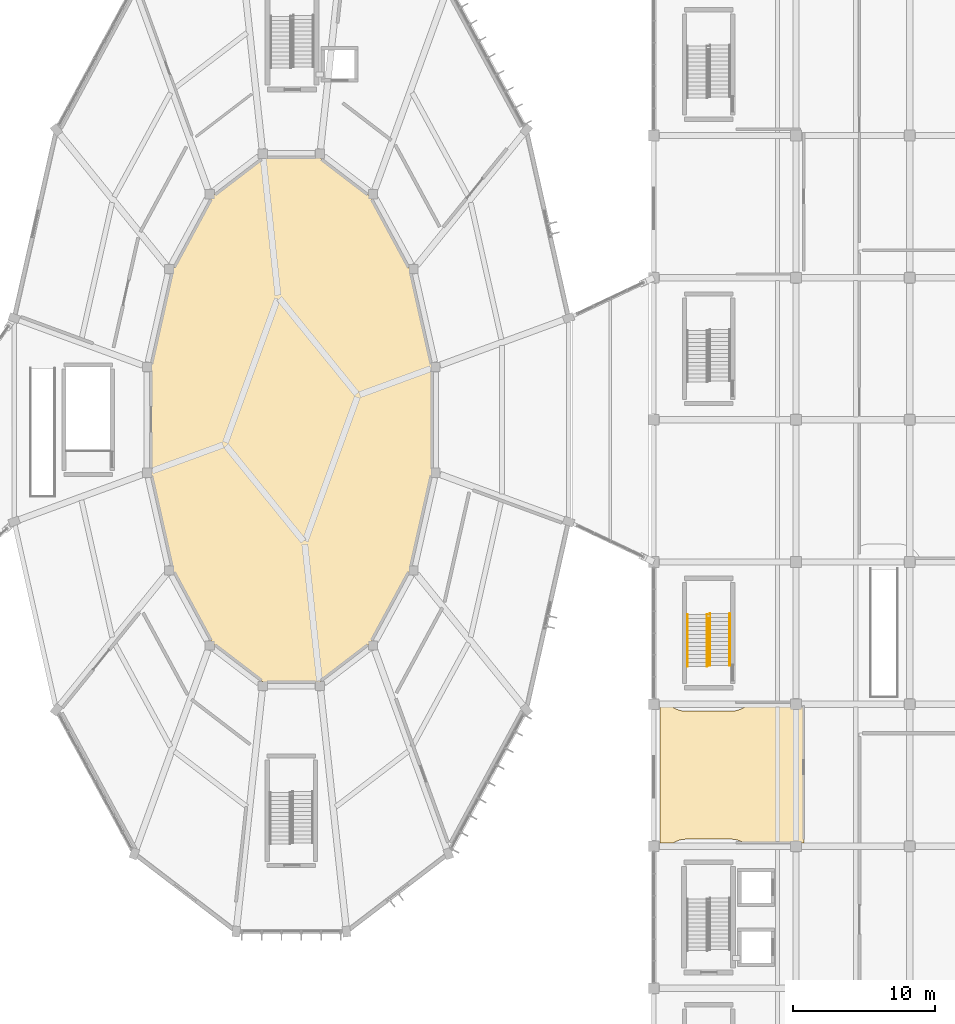
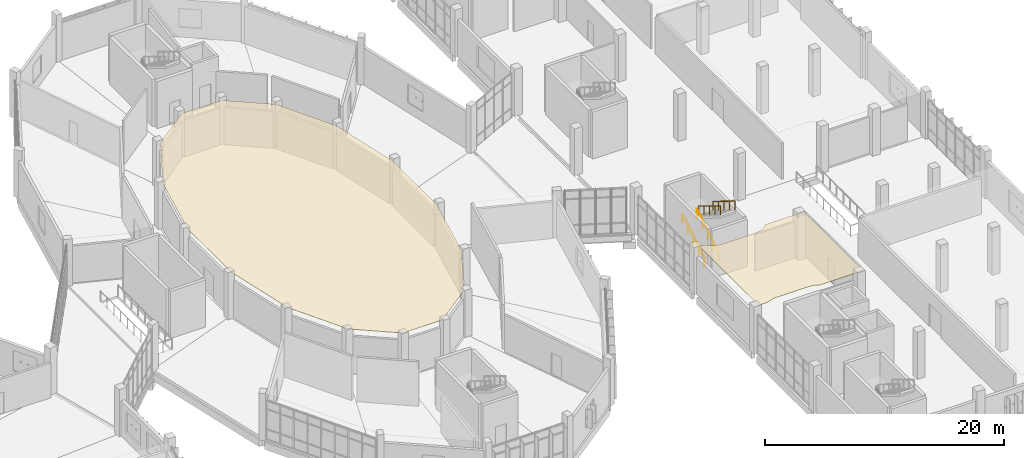
# One storey, part 168 of 179: 4 railings, 2 coverings.
"""IFC4 building model written with IfcOpenShell, lengths in metres."""

import ifcopenshell
import ifcopenshell.guid

model = None  # the IFC model being written
_history = None  # IfcOwnerHistory: only IFC2X3 demands one
_inside = {}  # id of a spatial element -> (the spatial element, [elements in it])
_under = {}  # id of a project, library or spatial element -> (it, [spatial elements below it])
_declared = {}  # id of a project -> (the project, [libraries it declares])
_typed = {}  # id of a type object -> (the type object, [elements of that type])
_made_of = {}  # id of a material, layer set ... -> (it, [elements and type objects made of it])


def new_model(schema):
    """Start an empty IFC model of exactly this schema.

    Asked for "IFC4X3", IfcOpenShell would pick the latest addendum, in which some entities
    have other attributes; the version numbers below select the first issue.
    IFC2X3 requires an IfcOwnerHistory on every rooted entity: one is made here for all.
    """
    global model, _history
    if schema == "IFC4X3":
        model = ifcopenshell.file(schema_version=(4, 3, 0, 0))
    else:
        model = ifcopenshell.file(schema=schema)
    _inside.clear()
    _under.clear()
    _declared.clear()
    _typed.clear()
    _made_of.clear()
    _history = None
    if model.schema == "IFC2X3":
        org = make("IfcOrganization", Name="unknown")
        user = make(
            "IfcPersonAndOrganization",
            ThePerson=make("IfcPerson", FamilyName="unknown"),
            TheOrganization=org,
        )
        app = make(
            "IfcApplication",
            ApplicationDeveloper=org,
            Version="unknown",
            ApplicationFullName="unknown",
            ApplicationIdentifier="unknown",
        )
        _history = make(
            "IfcOwnerHistory",
            OwningUser=user,
            OwningApplication=app,
            ChangeAction="ADDED",
            CreationDate=0,
        )
    return model


def make(cls, **values):
    """One entity of the class cls with the attributes given. An attribute that is None is left unset."""
    return model.create_entity(
        cls, **{name: value for name, value in values.items() if value is not None}
    )


def rooted(cls, **values):
    """An entity with a GlobalId (a new one), such as an element, a storey or a relation."""
    return make(cls, GlobalId=ifcopenshell.guid.new(), OwnerHistory=_history, **values)


def si_unit(unit_type, name, prefix=None):
    """IfcSIUnit, for example si_unit("LENGTHUNIT", "METRE", prefix="MILLI")."""
    return make("IfcSIUnit", UnitType=unit_type, Prefix=prefix, Name=name)


def assignment(units):
    """IfcUnitAssignment: the units of a project."""
    return None if units is None else make("IfcUnitAssignment", Units=units)


def point(xyz):
    """IfcCartesianPoint."""
    return None if xyz is None else make("IfcCartesianPoint", Coordinates=xyz)


def direction(xyz):
    """IfcDirection."""
    return None if xyz is None else make("IfcDirection", DirectionRatios=xyz)


def frame(location, z_axis=None, x_axis=None):
    """IfcAxis2Placement3D, a coordinate frame: its origin and axes. An axis left out is left unset."""
    return make(
        "IfcAxis2Placement3D",
        Location=point(location),
        Axis=direction(z_axis),
        RefDirection=direction(x_axis),
    )


def frame_2d(location, x_axis=None):
    """IfcAxis2Placement2D, a coordinate frame in the plane: its origin and x axis."""
    return make(
        "IfcAxis2Placement2D", Location=point(location), RefDirection=direction(x_axis)
    )


def origin():
    """The frame at (0, 0, 0) with its axes left unset."""
    return frame((0.0, 0.0, 0.0))


def origin_2d():
    """The frame at (0, 0) in the plane with its x axis left unset."""
    return frame_2d((0.0, 0.0))


def place(relative_to, where):
    """IfcLocalPlacement: puts the frame where relative to a parent placement (None: the world)."""
    return make(
        "IfcLocalPlacement", PlacementRelTo=relative_to, RelativePlacement=where
    )


def context(
    kind, dimensions, precision=None, world=None, true_north=None, identifier=None
):
    """IfcGeometricRepresentationContext, for example the 3D "Model" context."""
    return make(
        "IfcGeometricRepresentationContext",
        ContextIdentifier=identifier,
        ContextType=kind,
        CoordinateSpaceDimension=dimensions,
        Precision=precision,
        WorldCoordinateSystem=world,
        TrueNorth=true_north,
    )


def subcontext(parent, identifier, kind, view, scale=None):
    """IfcGeometricRepresentationSubContext, for example "Body" below "Model"."""
    return make(
        "IfcGeometricRepresentationSubContext",
        ContextIdentifier=identifier,
        ContextType=kind,
        ParentContext=parent,
        TargetScale=scale,
        TargetView=view,
    )


def project(units=None, contexts=None):
    """IfcProject with its units and contexts."""
    return rooted(
        "IfcProject",
        Name="project",
        RepresentationContexts=contexts,
        UnitsInContext=assignment(units),
    )


def spatial(cls, under=None, at=None, **own):
    """A site, building, storey or space (cls), placed at a placement, below another one or the project."""
    s = rooted(cls, ObjectPlacement=at, **own)
    if under is not None:
        _under.setdefault(under.id(), (under, []))[1].append(s)
    return s


def polyline(points):
    """IfcPolyline through the points."""
    return make("IfcPolyline", Points=[point(p) for p in points])


def profile(cls, at=None, kind="AREA", **sizes):
    """A parametric profile (cls). Its sizes go by their IFC names, for example OverallWidth=200.0."""
    return make(cls, ProfileType=kind, Position=at, **sizes)


def circle(**sizes):
    """IfcCircleProfileDef."""
    return profile("IfcCircleProfileDef", **sizes)


def outline(outer, holes=None, kind="AREA"):
    """IfcArbitraryClosedProfileDef: a profile drawn as a closed curve; with holes, ...WithVoids."""
    if holes is None:
        return make("IfcArbitraryClosedProfileDef", ProfileType=kind, OuterCurve=outer)
    return make(
        "IfcArbitraryProfileDefWithVoids",
        ProfileType=kind,
        OuterCurve=outer,
        InnerCurves=holes,
    )


def extrude(swept, where, along, depth):
    """IfcExtrudedAreaSolid: the profile swept, set in the frame where, extruded along a direction by depth."""
    return make(
        "IfcExtrudedAreaSolid",
        SweptArea=swept,
        Position=where,
        ExtrudedDirection=direction(along),
        Depth=depth,
    )


def shape(context_of_items, identifier, shape_type, items):
    """IfcShapeRepresentation: the items that make up one representation, for example the "Body"."""
    return make(
        "IfcShapeRepresentation",
        ContextOfItems=context_of_items,
        RepresentationIdentifier=identifier,
        RepresentationType=shape_type,
        Items=items,
    )


def material(Name=None, Category=None):
    """IfcMaterial."""
    return make("IfcMaterial", Name=Name, Category=Category)


def layer(
    of_material, thickness, ventilated=None, Name=None, Category=None, Priority=None
):
    """IfcMaterialLayer: one layer of a wall or slab, of a material (None: an air gap)."""
    return make(
        "IfcMaterialLayer",
        Material=of_material,
        LayerThickness=thickness,
        IsVentilated=ventilated,
        Name=Name,
        Category=Category,
        Priority=Priority,
    )


def layer_set(layers, Name=None):
    """IfcMaterialLayerSet."""
    return make("IfcMaterialLayerSet", MaterialLayers=layers, LayerSetName=Name)


def made_of(thing, what):
    """Note that an element or type object is made of a material, layer set ...; save() writes the relation."""
    if what is not None:
        _made_of.setdefault(what.id(), (what, []))[1].append(thing)
    return thing


def type_object(cls, material=None, **own):
    """A type object (cls), such as IfcWallType, which elements share."""
    return made_of(rooted(cls, **own), material)


def element(
    cls,
    number,
    at=None,
    inside=None,
    cuts=None,
    type_object=None,
    material=None,
    context=None,
    identifier="Body",
    shape_type=None,
    held_by="IfcProductDefinitionShape",
    body=None,
    shapes=None,
    **own,
):
    """One element of the class cls, such as IfcWall. Its Tag is "e" and its number.

    at: its placement. inside: the storey or other place that contains it. cuts: it is an
    opening in that element (IfcRelVoidsElement). A single representation is given by context,
    identifier, shape_type and body (its items); several are given by shapes. held_by: the class
    of the entity that holds the representations. save() writes the other relations.
    """
    e = rooted(cls, Tag="e%d" % number, ObjectPlacement=at, **own)
    if body is not None:
        shapes = [shape(context, identifier, shape_type, body)]
    if shapes is not None:
        e.Representation = make(held_by, Representations=shapes)
    if inside is not None:
        _inside.setdefault(inside.id(), (inside, []))[1].append(e)
    if cuts is not None:
        rooted(
            "IfcRelVoidsElement", RelatingBuildingElement=cuts, RelatedOpeningElement=e
        )
    if type_object is not None:
        _typed.setdefault(type_object.id(), (type_object, []))[1].append(e)
    return made_of(e, material)


def aggregate(whole, parts):
    """IfcRelAggregates: a whole, such as a stair, and the parts it consists of."""
    return rooted("IfcRelAggregates", RelatingObject=whole, RelatedObjects=parts)


def save(model, path):
    """Write the relations noted so far, then the file.

    IfcRelAggregates (storeys below a building ...), IfcRelContainedInSpatialStructure (elements
    in a storey), IfcRelDefinesByType, IfcRelAssociatesMaterial and IfcRelDeclares: one each for
    every whole, place, type object, material and project.
    """
    for whole, parts in _under.values():
        aggregate(whole, parts)
    for where, things in _inside.values():
        rooted(
            "IfcRelContainedInSpatialStructure",
            RelatedElements=things,
            RelatingStructure=where,
        )
    for kind, things in _typed.values():
        rooted("IfcRelDefinesByType", RelatedObjects=things, RelatingType=kind)
    for what, things in _made_of.values():
        rooted("IfcRelAssociatesMaterial", RelatedObjects=things, RelatingMaterial=what)
    for by, libraries in _declared.values():
        rooted("IfcRelDeclares", RelatingContext=by, RelatedDefinitions=libraries)
    model.write(path)


model = new_model("IFC4")

# Units and contexts
model_context = context("Model", 3, precision=1e-05, world=origin(), true_north=direction((0.0, 1.0)))
body_context = subcontext(model_context, "Body", "Model", "MODEL_VIEW")
ifc_project = project(units=[si_unit("LENGTHUNIT", "METRE"), si_unit("AREAUNIT", "SQUARE_METRE"), si_unit("VOLUMEUNIT", "CUBIC_METRE"), si_unit("PLANEANGLEUNIT", "RADIAN"), si_unit("MASSUNIT", "GRAM", prefix="KILO")], contexts=[model_context])

# Site, building, storey
site_placement = place(None, origin())
site = spatial("IfcSite", under=ifc_project, at=site_placement, CompositionType="ELEMENT")
building_placement = place(site_placement, origin())
building = spatial("IfcBuilding", under=site, at=building_placement, Name="Corvandel Quay Wholesale Market", CompositionType="ELEMENT")
storey_placement = place(building_placement, frame((0.0, 0.0, 6.0)))
storey = spatial("IfcBuildingStorey", under=building, at=storey_placement, Name="L01", CompositionType="ELEMENT", Elevation=6.0)

# Covering
ifc_material_1 = material(Name="Perforated powder-coated aluminium acoustic panel", Category="aluminium")
ifc_layer_1 = layer(ifc_material_1, 0.044921875)
ifc_layer_set_1 = layer_set([ifc_layer_1], Name="Perforated powder-coated aluminium acoustic panel")
covering_type_1 = type_object("IfcCoveringType", Name="Perforated Acoustic Baffle Ceiling CLG01", PredefinedType="CEILING", material=ifc_layer_set_1)
covering_1_placement = place(storey_placement, frame((0.0, 0.0, 4.389892578125)))
element("IfcCovering", 1, at=covering_1_placement, inside=storey, type_object=covering_type_1, Name="Suspended Ceiling CLG-016", PredefinedType="CEILING", context=body_context, shape_type="SweptSolid", body=[
    extrude(outline(polyline([(204.39990234375, 56.302978515625), (204.39990234375, 56.301025390625), (202.8701171875, 49.48388671875), (202.868896484375, 49.48193359375), (202.867919921875, 49.47998046875), (202.867919921875, 49.47802734375), (200.06005859375, 44.29296875), (200.05810546875, 44.2919921875), (200.056884765625, 44.2900390625), (200.055908203125, 44.2880859375), (200.053955078125, 44.287109375), (196.44091796875, 41.52392578125), (196.43994140625, 41.52294921875), (196.43798828125, 41.52197265625), (196.43603515625, 41.52099609375), (196.43505859375, 41.52099609375), (196.43310546875, 41.52001953125), (196.430908203125, 41.52001953125), (196.428955078125, 41.52001953125), (192.571044921875, 41.52001953125), (192.569091796875, 41.52001953125), (192.56689453125, 41.52001953125), (192.56494140625, 41.52099609375), (192.56396484375, 41.52099609375), (192.56201171875, 41.52197265625), (192.56005859375, 41.52294921875), (192.55908203125, 41.52392578125), (188.946044921875, 44.287109375), (188.944091796875, 44.2880859375), (188.943115234375, 44.2900390625), (188.94189453125, 44.2919921875), (188.93994140625, 44.29296875), (186.132080078125, 49.47802734375), (186.132080078125, 49.47998046875), (186.131103515625, 49.48193359375), (186.1298828125, 49.48388671875), (184.60009765625, 56.301025390625), (184.60009765625, 56.302978515625), (184.60009765625, 56.304931640625), (184.60009765625, 63.695068359375), (184.60009765625, 63.697021484375), (184.60009765625, 63.698974609375), (186.1298828125, 70.51611328125), (186.131103515625, 70.51806640625), (186.132080078125, 70.52001953125), (186.132080078125, 70.52197265625), (188.93994140625, 75.70703125), (188.94189453125, 75.7080078125), (188.943115234375, 75.7099609375), (188.944091796875, 75.7119140625), (188.946044921875, 75.712890625), (192.55908203125, 78.47607421875), (192.56005859375, 78.47705078125), (192.56201171875, 78.47802734375), (192.56396484375, 78.47900390625), (192.56494140625, 78.47900390625), (192.56689453125, 78.47998046875), (192.569091796875, 78.47998046875), (192.571044921875, 78.47998046875), (196.428955078125, 78.47998046875), (196.430908203125, 78.47998046875), (196.43310546875, 78.47998046875), (196.43505859375, 78.47900390625), (196.43603515625, 78.47900390625), (196.43798828125, 78.47802734375), (196.43994140625, 78.47705078125), (196.44091796875, 78.47607421875), (200.053955078125, 75.712890625), (200.055908203125, 75.7119140625), (200.056884765625, 75.7099609375), (200.05810546875, 75.7080078125), (200.06005859375, 75.70703125), (202.867919921875, 70.52197265625), (202.867919921875, 70.52001953125), (202.868896484375, 70.51806640625), (202.8701171875, 70.51611328125), (204.39990234375, 63.698974609375), (204.39990234375, 63.697021484375), (204.39990234375, 63.695068359375), (204.39990234375, 56.304931640625), (204.39990234375, 56.302978515625)])), origin(), (0.0, 0.0, 1.0), 0.045166015625),
])

# Railings
ifc_material_2 = material(Name="Brushed austenitic stainless steel Grade 316", Category="steel")
ifc_layer_2 = layer(ifc_material_2, 0.048095703125)
ifc_layer_set_2 = layer_set([ifc_layer_2], Name="Brushed austenitic stainless steel Grade 316")
railing_type = type_object("IfcRailingType", Name="Tubular Stainless Stair Handrail HR01 915mm", PredefinedType="HANDRAIL", material=ifc_layer_set_2)
for number, where, name in (
    (2, (222.360107421875, 42.64990234375, 0.17138671875), "Stair Handrail 0163"),
    (3, (223.75, 42.64990234375, 0.17138671875), "Stair Handrail 0164"),
):
    element("IfcRailing", number, at=place(storey_placement, frame(where)), inside=storey, type_object=railing_type, Name=name, PredefinedType="HANDRAIL", context=body_context, shape_type="SweptSolid", body=[
        extrude(circle(Radius=0.02392578125, at=origin_2d()), frame((0.0, 0.0, 0.89111328125), z_axis=(0.0, 0.852865859571, 0.52213008492), x_axis=(-1.0, 0.0, 0.0)), (0.0, 0.0, 1.0), 4.26806640625),
        extrude(circle(Radius=0.02099609375, at=origin_2d()), origin(), (0.0, 0.0, 1.0), 0.866943359375),
        extrude(circle(Radius=0.02099609375, at=origin_2d()), frame((0.0, 0.91015625, 0.55712890625)), (0.0, 0.0, 1.0), 0.866943359375),
        extrude(circle(Radius=0.02099609375, at=origin_2d()), frame((0.0, 1.820068359375, 1.1142578125)), (0.0, 0.0, 1.0), 0.866943359375),
        extrude(circle(Radius=0.02099609375, at=origin_2d()), frame((0.0, 2.72998046875, 1.67138671875)), (0.0, 0.0, 1.0), 0.866943359375),
        extrude(circle(Radius=0.02099609375, at=origin_2d()), frame((0.0, 3.64013671875, 2.228515625)), (0.0, 0.0, 1.0), 0.866943359375),
    ])
for number, where, name in (
    (4, (223.949951171875, 46.360107421875, 2.5712890625), "Stair Handrail 0165"),
    (5, (225.340087890625, 46.360107421875, 2.5712890625), "Stair Handrail 0166"),
):
    element("IfcRailing", number, at=place(storey_placement, frame(where)), inside=storey, type_object=railing_type, Name=name, PredefinedType="HANDRAIL", context=body_context, shape_type="SweptSolid", body=[
        extrude(circle(Radius=0.02392578125, at=origin_2d()), frame((0.0, 0.0, 0.89111328125), z_axis=(0.0, -0.852840387347, 0.522171689878), x_axis=(1.0, 0.0, 0.0)), (0.0, 0.0, 1.0), 4.268310546875),
        extrude(circle(Radius=0.02099609375, at=origin_2d()), origin(), (0.0, 0.0, 1.0), 0.866943359375),
        extrude(circle(Radius=0.02099609375, at=origin_2d()), frame((0.0, -0.91015625, 0.55712890625)), (0.0, 0.0, 1.0), 0.866943359375),
        extrude(circle(Radius=0.02099609375, at=origin_2d()), frame((0.0, -1.820068359375, 1.1142578125)), (0.0, 0.0, 1.0), 0.866943359375),
        extrude(circle(Radius=0.02099609375, at=origin_2d()), frame((0.0, -2.72998046875, 1.671630859375)), (0.0, 0.0, 1.0), 0.866943359375),
        extrude(circle(Radius=0.02099609375, at=origin_2d()), frame((0.0, -3.64013671875, 2.228759765625)), (0.0, 0.0, 1.0), 0.866943359375),
    ])

# Covering
ifc_material_3 = material(Name="Moisture-resistant washable PVC-faced gypsum board")
ifc_layer_3 = layer(ifc_material_3, 0.0400390625)
ifc_layer_set_3 = layer_set([ifc_layer_3], Name="Moisture-resistant washable PVC-faced gypsum board")
covering_type_2 = type_object("IfcCoveringType", Name="Washable Hygienic Market Ceiling CLG02", PredefinedType="CEILING", material=ifc_layer_set_3)
covering_2_placement = place(storey_placement, frame((0.0, 0.0, 4.31005859375)))
element("IfcCovering", 6, at=covering_2_placement, inside=storey, type_object=covering_type_2, Name="Suspended Ceiling CLG-029", PredefinedType="CEILING", context=body_context, shape_type="SweptSolid", body=[
    extrude(outline(polyline([(220.4580078125, 30.239990234375), (220.4560546875, 30.239990234375), (220.4541015625, 30.240966796875), (220.451904296875, 30.241943359375), (220.450927734375, 30.241943359375), (220.448974609375, 30.242919921875), (220.447021484375, 30.2451171875), (220.446044921875, 30.24609375), (220.445068359375, 30.2470703125), (220.443115234375, 30.2490234375), (220.44189453125, 30.2509765625), (220.44189453125, 30.251953125), (220.44091796875, 30.25390625), (220.43994140625, 30.256103515625), (220.43994140625, 30.258056640625), (220.43994140625, 30.260009765625), (220.43994140625, 40.139892578125), (220.43994140625, 40.14208984375), (220.43994140625, 40.14404296875), (220.44091796875, 40.14599609375), (220.44189453125, 40.14794921875), (220.44189453125, 40.14892578125), (220.443115234375, 40.15087890625), (220.445068359375, 40.153076171875), (220.446044921875, 40.154052734375), (220.447021484375, 40.155029296875), (220.448974609375, 40.156982421875), (220.450927734375, 40.157958984375), (220.451904296875, 40.157958984375), (220.4541015625, 40.158935546875), (220.4560546875, 40.159912109375), (220.4580078125, 40.159912109375), (220.4599609375, 40.159912109375), (220.906982421875, 40.159912109375), (220.908935546875, 40.157958984375), (221.027099609375, 40.027099609375), (221.157958984375, 39.908935546875), (221.300048828125, 39.802978515625), (221.450927734375, 39.712890625), (221.611083984375, 39.636962890625), (221.777099609375, 39.577880859375), (221.948974609375, 39.534912109375), (222.1240234375, 39.509033203125), (222.300048828125, 39.5), (225.39990234375, 39.5), (225.575927734375, 39.509033203125), (225.7509765625, 39.534912109375), (225.923095703125, 39.577880859375), (226.089111328125, 39.636962890625), (226.2490234375, 39.712890625), (226.39990234375, 39.802978515625), (226.5419921875, 39.908935546875), (226.673095703125, 40.027099609375), (226.791015625, 40.157958984375), (226.79296875, 40.159912109375), (230.5400390625, 40.159912109375), (230.5419921875, 40.159912109375), (230.5439453125, 40.159912109375), (230.5458984375, 40.158935546875), (230.548095703125, 40.157958984375), (230.549072265625, 40.157958984375), (230.551025390625, 40.156982421875), (230.552978515625, 40.155029296875), (230.553955078125, 40.154052734375), (230.554931640625, 40.153076171875), (230.556884765625, 40.15087890625), (230.55810546875, 40.14892578125), (230.55810546875, 40.14794921875), (230.55908203125, 40.14599609375), (230.56005859375, 40.14404296875), (230.56005859375, 40.14208984375), (230.56005859375, 40.139892578125), (230.56005859375, 30.260009765625), (230.56005859375, 30.258056640625), (230.56005859375, 30.256103515625), (230.55908203125, 30.25390625), (230.55810546875, 30.251953125), (230.55810546875, 30.2509765625), (230.556884765625, 30.2490234375), (230.554931640625, 30.2470703125), (230.553955078125, 30.24609375), (230.552978515625, 30.2451171875), (230.551025390625, 30.242919921875), (230.549072265625, 30.241943359375), (230.548095703125, 30.241943359375), (230.5458984375, 30.240966796875), (230.5439453125, 30.239990234375), (230.5419921875, 30.239990234375), (230.5400390625, 30.239990234375), (226.327880859375, 30.239990234375), (226.2490234375, 30.287109375), (226.089111328125, 30.363037109375), (225.923095703125, 30.422119140625), (225.7509765625, 30.465087890625), (225.575927734375, 30.490966796875), (225.39990234375, 30.5), (222.300048828125, 30.5), (222.1240234375, 30.490966796875), (221.948974609375, 30.465087890625), (221.777099609375, 30.422119140625), (221.611083984375, 30.363037109375), (221.450927734375, 30.287109375), (221.3720703125, 30.239990234375), (220.4599609375, 30.239990234375), (220.4580078125, 30.239990234375)])), origin(), (0.0, 0.0, 1.0), 0.044921875),
])

save(model, "model.ifc")
